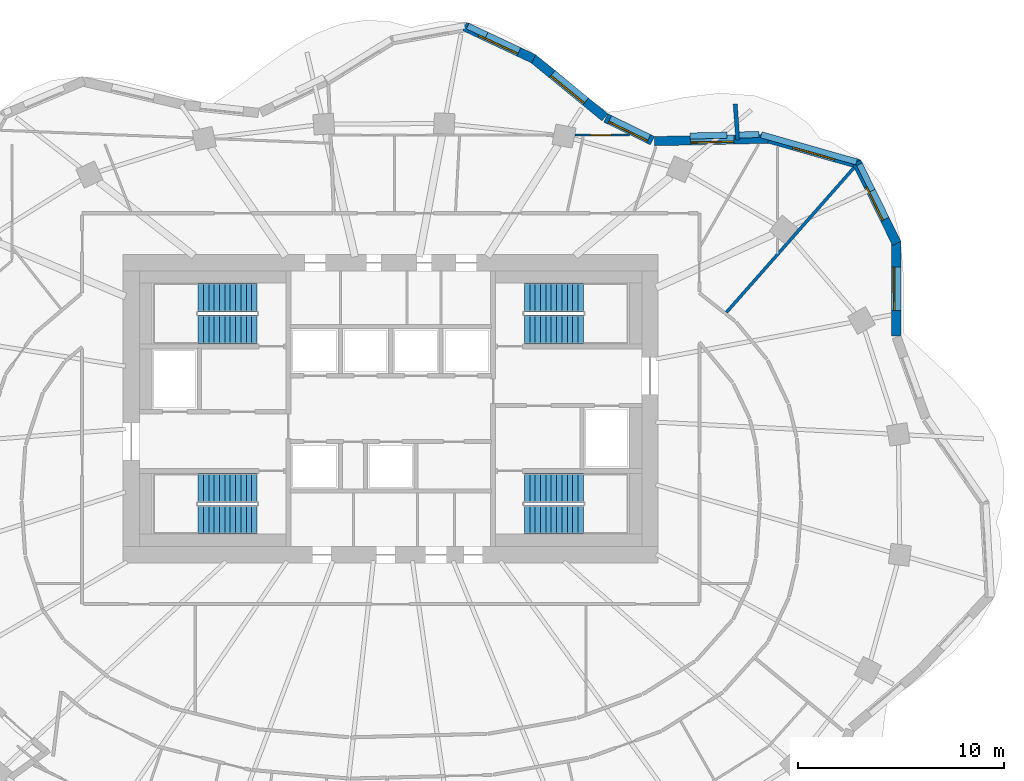
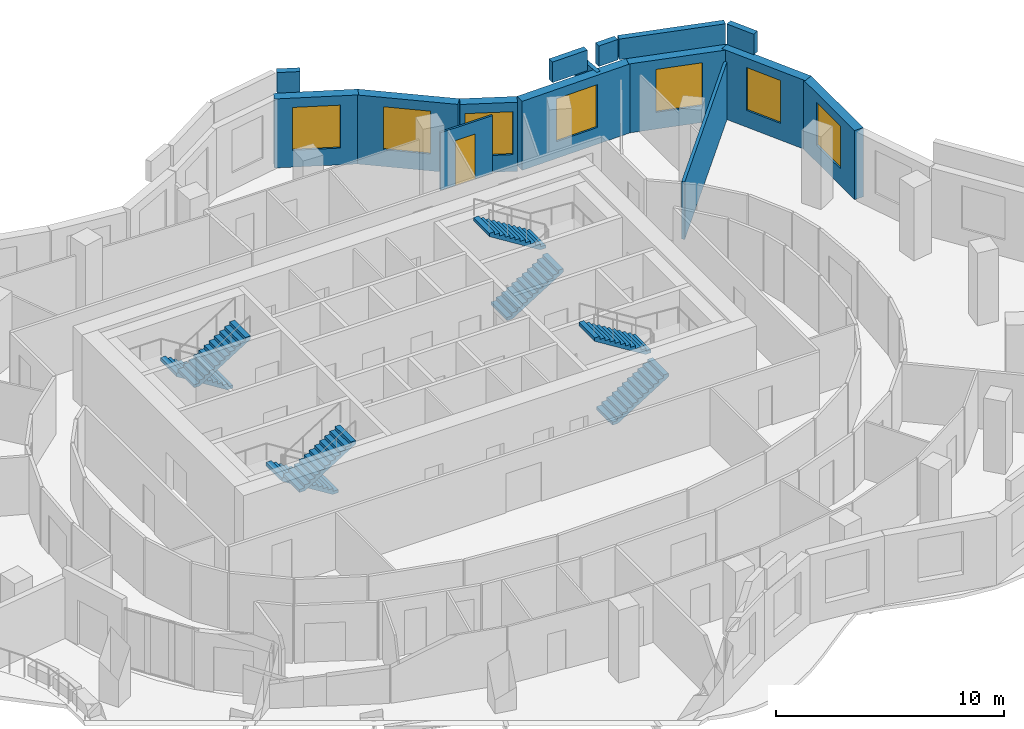
# One storey, part 11 of 13: 15 walls, 8 stair flights, 7 windows, 1 door, 8 openings, 4 elements without a shape of their own.
"""IFC4 building model written with IfcOpenShell, lengths in metres."""

from ifc_helpers import new_model, si_unit, direction, frame, frame_2d, origin, place, context, subcontext, project, spatial, polyline, rectangle, outline, extrude, material, layer, layer_set, type_object, element, fill, aggregate, save


model = new_model("IFC4")

# Units and contexts
model_context = context("Model", 3, precision=1e-05, world=origin(), true_north=direction((0.0, 1.0)))
body_context = subcontext(model_context, "Body", "Model", "MODEL_VIEW")
ifc_project = project(units=[si_unit("LENGTHUNIT", "METRE"), si_unit("AREAUNIT", "SQUARE_METRE"), si_unit("VOLUMEUNIT", "CUBIC_METRE"), si_unit("PLANEANGLEUNIT", "RADIAN"), si_unit("MASSUNIT", "GRAM", prefix="KILO")], contexts=[model_context])

# Site, building, storey
site_placement = place(None, origin())
site = spatial("IfcSite", under=ifc_project, at=site_placement, CompositionType="ELEMENT")
building_placement = place(site_placement, origin())
building = spatial("IfcBuilding", under=site, at=building_placement, Name="Rubra Terraces Tower", CompositionType="ELEMENT")
storey_placement = place(building_placement, frame((0.0, 0.0, 233.10009765625)))
storey = spatial("IfcBuildingStorey", under=building, at=storey_placement, Name="L57", CompositionType="ELEMENT", Elevation=233.10009765625)

# Wall, opening, window
ifc_material_1 = material(Name="Brick masonry red-brown", Category="masonry")
ifc_layer_1 = layer(ifc_material_1, 0.449951171875)
ifc_layer_set_1 = layer_set([ifc_layer_1], Name="Brick masonry red-brown")
wall_type_1 = type_object("IfcWallType", Name="Brick facade wall 450", PredefinedType="SOLIDWALL", material=ifc_layer_set_1)
wall_1_placement = place(storey_placement, frame((24.5712890625, 8.044189453125, 0.0), z_axis=(0.0, 0.0, 1.0), x_axis=(-0.001546005189, 0.999998804933, 0.0)))
wall_1 = element("IfcWall", 1, at=wall_1_placement, inside=storey, type_object=wall_type_1, Name="Facade wall L57 bay 3", PredefinedType="SOLIDWALL", context=body_context, shape_type="SweptSolid", body=[
    extrude(rectangle(XDim=4.57958984375, YDim=0.449951171875, at=frame_2d((2.289794921875, 0.0))), origin(), (0.0, 0.0, 1.0), 3.699951171875),
])
opening_1_placement = place(wall_1_placement, frame((1.23974609375, 0.0, 0.89990234375)))
opening_1 = element("IfcOpeningElement", 2, at=opening_1_placement, cuts=wall_1, Name="Opening W1B", PredefinedType="OPENING", context=body_context, shape_type="SweptSolid", body=[
    extrude(rectangle(XDim=2.10009765625, YDim=2.300048828125, at=frame_2d((1.050048828125, 1.14990234375))), frame((0.0, 0.23486328125, 0.0), z_axis=(0.0, -1.0, 0.0), x_axis=(1.0, 0.0, 0.0)), (0.0, 0.0, 1.0), 0.469970703125),
])
ifc_material_2 = material(Name="Clear glass in aluminium frame", Category="aluminium")
window_type_1 = type_object("IfcWindowType", Name="Fixed deep-set window tall storey 2100 x 2300", PartitioningType="SINGLE_PANEL", PredefinedType="WINDOW", material=ifc_material_2)
window_1_placement = place(opening_1_placement, origin())
window_1 = element("IfcWindow", 3, at=window_1_placement, inside=storey, type_object=window_type_1, Name="Window L57 bay 3", OverallHeight=2.300048828125, OverallWidth=2.10009765625, PartitioningType="SINGLE_PANEL", PredefinedType="WINDOW", context=body_context, shape_type="SweptSolid", body=[
    extrude(rectangle(XDim=2.10009765625, YDim=2.300048828125, at=frame_2d((1.050048828125, 1.14990234375))), frame((0.0, 0.135009765625, 0.0), z_axis=(0.0, -1.0, 0.0), x_axis=(1.0, 0.0, 0.0)), (0.0, 0.0, 1.0), 0.06005859375),
])
fill(opening_1, window_1)

wall_2_placement = place(storey_placement, frame((24.587158203125, 12.531494140625, 0.0), z_axis=(0.0, 0.0, 1.0), x_axis=(-0.441565582365, 0.897228976611, 0.0)))
wall_2 = element("IfcWall", 4, at=wall_2_placement, inside=storey, type_object=wall_type_1, Name="Facade wall L57 bay 4", PredefinedType="SOLIDWALL", context=body_context, shape_type="SweptSolid", body=[
    extrude(rectangle(XDim=4.416015625, YDim=0.449951171875, at=frame_2d((2.2080078125, 0.0))), origin(), (0.0, 0.0, 1.0), 3.699951171875),
])
opening_2_placement = place(wall_2_placement, frame((1.307861328125, 0.0, 0.89990234375)))
opening_2 = element("IfcOpeningElement", 5, at=opening_2_placement, cuts=wall_2, Name="Opening W6B", PredefinedType="OPENING", context=body_context, shape_type="SweptSolid", body=[
    extrude(rectangle(XDim=1.800048828125, YDim=2.300048828125, at=frame_2d((0.89990234375, 1.14990234375))), frame((0.0, 0.23486328125, 0.0), z_axis=(0.0, -1.0, 0.0), x_axis=(1.0, 0.0, 0.0)), (0.0, 0.0, 1.0), 0.469970703125),
])
window_type_2 = type_object("IfcWindowType", Name="Fixed deep-set window at wind fin tall storey 1800 x 2300", PartitioningType="SINGLE_PANEL", PredefinedType="WINDOW", material=ifc_material_2)
window_2_placement = place(opening_2_placement, origin())
window_2 = element("IfcWindow", 6, at=window_2_placement, inside=storey, type_object=window_type_2, Name="Window L57 bay 4", OverallHeight=2.300048828125, OverallWidth=1.800048828125, PartitioningType="SINGLE_PANEL", PredefinedType="WINDOW", context=body_context, shape_type="SweptSolid", body=[
    extrude(rectangle(XDim=1.800048828125, YDim=2.300048828125, at=frame_2d((0.89990234375, 1.14990234375))), frame((0.0, 0.135009765625, 0.0), z_axis=(0.0, -1.0, 0.0), x_axis=(1.0, 0.0, 0.0)), (0.0, 0.0, 1.0), 0.06005859375),
])
fill(opening_2, window_2)

wall_3_placement = place(storey_placement, frame((22.777587890625, 16.376708984375, 0.0), z_axis=(0.0, 0.0, 1.0), x_axis=(-0.961872816949, 0.273497137123, 0.0)))
wall_3 = element("IfcWall", 7, at=wall_3_placement, inside=storey, type_object=wall_type_1, Name="Facade wall L57 bay 5", PredefinedType="SOLIDWALL", context=body_context, shape_type="SweptSolid", body=[
    extrude(rectangle(XDim=4.584716796875, YDim=0.449951171875, at=frame_2d((2.29248046875, 0.0))), origin(), (0.0, 0.0, 1.0), 3.699951171875),
])
opening_3_placement = place(wall_3_placement, frame((1.242431640625, 0.0, 0.89990234375)))
opening_3 = element("IfcOpeningElement", 8, at=opening_3_placement, cuts=wall_3, Name="Opening W1B", PredefinedType="OPENING", context=body_context, shape_type="SweptSolid", body=[
    extrude(rectangle(XDim=2.10009765625, YDim=2.300048828125, at=frame_2d((1.050048828125, 1.14990234375))), frame((0.0, 0.23486328125, 0.0), z_axis=(0.0, -1.0, 0.0), x_axis=(1.0, 0.0, 0.0)), (0.0, 0.0, 1.0), 0.469970703125),
])
window_3_placement = place(opening_3_placement, origin())
window_3 = element("IfcWindow", 9, at=window_3_placement, inside=storey, type_object=window_type_1, Name="Window L57 bay 5", OverallHeight=2.300048828125, OverallWidth=2.10009765625, PartitioningType="SINGLE_PANEL", PredefinedType="WINDOW", context=body_context, shape_type="SweptSolid", body=[
    extrude(rectangle(XDim=2.10009765625, YDim=2.300048828125, at=frame_2d((1.050048828125, 1.14990234375))), frame((0.0, 0.135009765625, 0.0), z_axis=(0.0, -1.0, 0.0), x_axis=(1.0, 0.0, 0.0)), (0.0, 0.0, 1.0), 0.06005859375),
])
fill(opening_3, window_3)

wall_4_placement = place(storey_placement, frame((18.433837890625, 17.622314453125, 0.0), z_axis=(0.0, 0.0, 1.0), x_axis=(-0.999773749739, -0.021270856405, 0.0)))
wall_4 = element("IfcWall", 10, at=wall_4_placement, inside=storey, type_object=wall_type_1, Name="Facade wall L57 bay 6", PredefinedType="SOLIDWALL", context=body_context, shape_type="SweptSolid", body=[
    extrude(rectangle(XDim=5.612548828125, YDim=0.449951171875, at=frame_2d((2.80615234375, 0.0))), origin(), (0.0, 0.0, 1.0), 3.699951171875),
])
opening_4_placement = place(wall_4_placement, frame((1.75634765625, 0.0, 0.89990234375)))
opening_4 = element("IfcOpeningElement", 11, at=opening_4_placement, cuts=wall_4, Name="Opening W1B", PredefinedType="OPENING", context=body_context, shape_type="SweptSolid", body=[
    extrude(rectangle(XDim=2.10009765625, YDim=2.300048828125, at=frame_2d((1.050048828125, 1.14990234375))), frame((0.0, 0.23486328125, 0.0), z_axis=(0.0, -1.0, 0.0), x_axis=(1.0, 0.0, 0.0)), (0.0, 0.0, 1.0), 0.469970703125),
])
window_4_placement = place(opening_4_placement, origin())
window_4 = element("IfcWindow", 12, at=window_4_placement, inside=storey, type_object=window_type_1, Name="Window L57 bay 6", OverallHeight=2.300048828125, OverallWidth=2.10009765625, PartitioningType="SINGLE_PANEL", PredefinedType="WINDOW", context=body_context, shape_type="SweptSolid", body=[
    extrude(rectangle(XDim=2.10009765625, YDim=2.300048828125, at=frame_2d((1.050048828125, 1.14990234375))), frame((0.0, 0.135009765625, 0.0), z_axis=(0.0, -1.0, 0.0), x_axis=(1.0, 0.0, 0.0)), (0.0, 0.0, 1.0), 0.06005859375),
])
fill(opening_4, window_4)

wall_5_placement = place(storey_placement, frame((12.718994140625, 17.52587890625, 0.0), z_axis=(0.0, 0.0, 1.0), x_axis=(-0.898643806462, 0.438679050226, 0.0)))
wall_5 = element("IfcWall", 13, at=wall_5_placement, inside=storey, type_object=wall_type_1, Name="Facade wall L57 bay 7", PredefinedType="SOLIDWALL", context=body_context, shape_type="SweptSolid", body=[
    extrude(rectangle(XDim=2.5234375, YDim=0.449951171875, at=frame_2d((1.26171875, 0.0))), origin(), (0.0, 0.0, 1.0), 3.699951171875),
])
opening_5_placement = place(wall_5_placement, frame((0.2119140625, 0.0, 0.89990234375)))
opening_5 = element("IfcOpeningElement", 14, at=opening_5_placement, cuts=wall_5, Name="Opening W1B", PredefinedType="OPENING", context=body_context, shape_type="SweptSolid", body=[
    extrude(rectangle(XDim=2.10009765625, YDim=2.300048828125, at=frame_2d((1.050048828125, 1.14990234375))), frame((0.0, 0.23486328125, 0.0), z_axis=(0.0, -1.0, 0.0), x_axis=(1.0, 0.0, 0.0)), (0.0, 0.0, 1.0), 0.469970703125),
])
window_5_placement = place(opening_5_placement, origin())
window_5 = element("IfcWindow", 15, at=window_5_placement, inside=storey, type_object=window_type_1, Name="Window L57 bay 7", OverallHeight=2.300048828125, OverallWidth=2.10009765625, PartitioningType="SINGLE_PANEL", PredefinedType="WINDOW", context=body_context, shape_type="SweptSolid", body=[
    extrude(rectangle(XDim=2.10009765625, YDim=2.300048828125, at=frame_2d((1.050048828125, 1.14990234375))), frame((0.0, 0.135009765625, 0.0), z_axis=(0.0, -1.0, 0.0), x_axis=(1.0, 0.0, 0.0)), (0.0, 0.0, 1.0), 0.06005859375),
])
fill(opening_5, window_5)

wall_6_placement = place(storey_placement, frame((10.407470703125, 18.660888671875, 0.0), z_axis=(0.0, 0.0, 1.0), x_axis=(-0.773702458947, 0.633549133864, 0.0)))
wall_6 = element("IfcWall", 16, at=wall_6_placement, inside=storey, type_object=wall_type_1, Name="Facade wall L57 bay 8", PredefinedType="SOLIDWALL", context=body_context, shape_type="SweptSolid", body=[
    extrude(rectangle(XDim=4.525634765625, YDim=0.449951171875, at=frame_2d((2.2626953125, 0.0))), origin(), (0.0, 0.0, 1.0), 3.699951171875),
])
opening_6_placement = place(wall_6_placement, frame((1.212890625, 0.0, 0.89990234375)))
opening_6 = element("IfcOpeningElement", 17, at=opening_6_placement, cuts=wall_6, Name="Opening W1B", PredefinedType="OPENING", context=body_context, shape_type="SweptSolid", body=[
    extrude(rectangle(XDim=2.10009765625, YDim=2.300048828125, at=frame_2d((1.050048828125, 1.14990234375))), frame((0.0, 0.23486328125, 0.0), z_axis=(0.0, -1.0, 0.0), x_axis=(1.0, 0.0, 0.0)), (0.0, 0.0, 1.0), 0.469970703125),
])
window_6_placement = place(opening_6_placement, origin())
window_6 = element("IfcWindow", 18, at=window_6_placement, inside=storey, type_object=window_type_1, Name="Window L57 bay 8", OverallHeight=2.300048828125, OverallWidth=2.10009765625, PartitioningType="SINGLE_PANEL", PredefinedType="WINDOW", context=body_context, shape_type="SweptSolid", body=[
    extrude(rectangle(XDim=2.10009765625, YDim=2.300048828125, at=frame_2d((1.050048828125, 1.14990234375))), frame((0.0, 0.135009765625, 0.0), z_axis=(0.0, -1.0, 0.0), x_axis=(1.0, 0.0, 0.0)), (0.0, 0.0, 1.0), 0.06005859375),
])
fill(opening_6, window_6)

wall_7_placement = place(storey_placement, frame((6.952880859375, 21.49853515625, 0.0), z_axis=(0.0, 0.0, 1.0), x_axis=(-0.905034581957, 0.425337989676, 0.0)))
wall_7 = element("IfcWall", 19, at=wall_7_placement, inside=storey, type_object=wall_type_1, Name="Facade wall L57 bay 9", PredefinedType="SOLIDWALL", context=body_context, shape_type="SweptSolid", body=[
    extrude(rectangle(XDim=3.71435546875, YDim=0.449951171875, at=frame_2d((1.857177734375, 0.0))), origin(), (0.0, 0.0, 1.0), 3.699951171875),
])
opening_7_placement = place(wall_7_placement, frame((0.80712890625, 0.0, 0.89990234375)))
opening_7 = element("IfcOpeningElement", 20, at=opening_7_placement, cuts=wall_7, Name="Opening W1B", PredefinedType="OPENING", context=body_context, shape_type="SweptSolid", body=[
    extrude(rectangle(XDim=2.10009765625, YDim=2.300048828125, at=frame_2d((1.050048828125, 1.14990234375))), frame((0.0, 0.23486328125, 0.0), z_axis=(0.0, -1.0, 0.0), x_axis=(1.0, 0.0, 0.0)), (0.0, 0.0, 1.0), 0.469970703125),
])
window_7_placement = place(opening_7_placement, origin())
window_7 = element("IfcWindow", 21, at=window_7_placement, inside=storey, type_object=window_type_1, Name="Window L57 bay 9", OverallHeight=2.300048828125, OverallWidth=2.10009765625, PartitioningType="SINGLE_PANEL", PredefinedType="WINDOW", context=body_context, shape_type="SweptSolid", body=[
    extrude(rectangle(XDim=2.10009765625, YDim=2.300048828125, at=frame_2d((1.050048828125, 1.14990234375))), frame((0.0, 0.135009765625, 0.0), z_axis=(0.0, -1.0, 0.0), x_axis=(1.0, 0.0, 0.0)), (0.0, 0.0, 1.0), 0.06005859375),
])
fill(opening_7, window_7)

# Walls
ifc_layer_2 = layer(ifc_material_1, 0.300048828125)
ifc_layer_set_2 = layer_set([ifc_layer_2], Name="Brick masonry red-brown")
wall_type_2 = type_object("IfcWallType", Name="Brick parapet 300", PredefinedType="PARAPET", material=ifc_layer_set_2)
wall_8_placement = place(storey_placement, frame((23.40673828125, 15.099609375, 3.89990234375), z_axis=(0.0, 0.0, 1.0), x_axis=(-0.441525139575, 0.897248879143, 0.0)))
element("IfcWall", 22, at=wall_8_placement, inside=storey, type_object=wall_type_2, Name="Parapet L57 bay 4", PredefinedType="PARAPET", context=body_context, shape_type="SweptSolid", body=[
    extrude(rectangle(XDim=1.42724609375, YDim=0.300048828125, at=frame_2d((0.713623046875, 0.0))), origin(), (0.0, 0.0, 1.0), 1.10009765625),
])
wall_9_placement = place(storey_placement, frame((22.640869140625, 16.493408203125, 3.89990234375), z_axis=(0.0, 0.0, 1.0), x_axis=(-0.961855991684, 0.273556303641, 0.0)))
element("IfcWall", 23, at=wall_9_placement, inside=storey, type_object=wall_type_2, Name="Parapet L57 bay 5", PredefinedType="PARAPET", context=body_context, shape_type="SweptSolid", body=[
    extrude(rectangle(XDim=4.817626953125, YDim=0.300048828125, at=frame_2d((2.40869140625, 0.0))), origin(), (0.0, 0.0, 1.0), 1.10009765625),
])
wall_10_placement = place(storey_placement, frame((17.904052734375, 17.824462890625, 3.89990234375), z_axis=(0.0, 0.0, 1.0), x_axis=(-0.999771907309, -0.021357278744, 0.0)))
element("IfcWall", 24, at=wall_10_placement, inside=storey, type_object=wall_type_2, Name="Parapet L57 bay 6", PredefinedType="PARAPET", context=body_context, shape_type="SweptSolid", body=[
    extrude(rectangle(XDim=0.9716796875, YDim=0.300048828125, at=frame_2d((0.48583984375, 0.0))), origin(), (0.0, 0.0, 1.0), 1.10009765625),
])
wall_11_placement = place(storey_placement, frame((16.339599609375, 17.791259765625, 3.89990234375), z_axis=(0.0, 0.0, 1.0), x_axis=(-0.999776010316, -0.021164337831, 0.0)))
element("IfcWall", 25, at=wall_11_placement, inside=storey, type_object=wall_type_2, Name="Parapet L57 bay 6.2", PredefinedType="PARAPET", context=body_context, shape_type="SweptSolid", body=[
    extrude(rectangle(XDim=1.7880859375, YDim=0.300048828125, at=frame_2d((0.89404296875, 0.0))), origin(), (0.0, 0.0, 1.0), 1.10009765625),
])
wall_12_placement = place(storey_placement, frame((4.66650390625, 22.656005859375, 3.89990234375), z_axis=(0.0, 0.0, 1.0), x_axis=(-0.905050240273, 0.425304670304, 0.0)))
element("IfcWall", 26, at=wall_12_placement, inside=storey, type_object=wall_type_2, Name="Parapet L57 bay 9", PredefinedType="PARAPET", context=body_context, shape_type="SweptSolid", body=[
    extrude(rectangle(XDim=1.02685546875, YDim=0.300048828125, at=frame_2d((0.513427734375, 0.0))), origin(), (0.0, 0.0, 1.0), 1.10009765625),
])
ifc_layer_3 = layer(ifc_material_1, 0.199951171875)
ifc_layer_set_3 = layer_set([ifc_layer_3], Name="Brick masonry red-brown")
wall_type_3 = type_object("IfcWallType", Name="Brick wind fin 200", PredefinedType="SOLIDWALL", material=ifc_layer_set_3)
wall_13_placement = place(storey_placement, frame((16.868896484375, 17.56591796875, 0.0), z_axis=(0.0, 0.0, 1.0), x_axis=(-0.073655868346, 0.997283717434, 0.0)))
element("IfcWall", 27, at=wall_13_placement, inside=storey, type_object=wall_type_3, Name="Wind fin L57 4", PredefinedType="SOLIDWALL", context=body_context, shape_type="SweptSolid", body=[
    extrude(rectangle(XDim=1.75, YDim=0.199951171875, at=frame_2d((0.875, 0.0))), origin(), (0.0, 0.0, 1.0), 3.699951171875),
])

# Wall, opening, door
ifc_material_3 = material(Name="Plasterboard on steel stud", Category="steel")
ifc_layer_4 = layer(ifc_material_3, 0.10009765625)
ifc_layer_set_4 = layer_set([ifc_layer_4], Name="Plasterboard on steel stud")
wall_type_4 = type_object("IfcWallType", Name="ROOM PARTITION 100", PredefinedType="PARTITIONING", material=ifc_layer_set_4)
wall_14_placement = place(storey_placement, frame((8.961669921875, 17.800048828125, 0.0), z_axis=(0.0, 0.0, 1.0), x_axis=(1.0, 0.0, 0.0)))
wall_14 = element("IfcWall", 28, at=wall_14_placement, inside=storey, type_object=wall_type_4, Name="PARTITION", PredefinedType="PARTITIONING", context=body_context, shape_type="SweptSolid", body=[
    extrude(rectangle(XDim=2.639404296875, YDim=0.10009765625, at=frame_2d((1.31982421875, 0.0))), origin(), (0.0, 0.0, 1.0), 3.083984375),
])
opening_8_placement = place(wall_14_placement, frame((0.75, 0.0, 0.0)))
opening_8 = element("IfcOpeningElement", 29, at=opening_8_placement, cuts=wall_14, Name="Opening 57-128", PredefinedType="OPENING", context=body_context, shape_type="SweptSolid", body=[
    extrude(rectangle(XDim=1.0, YDim=2.39990234375, at=frame_2d((0.5, 1.199951171875))), frame((0.0, 0.06005859375, 0.0), z_axis=(0.0, -1.0, 0.0), x_axis=(1.0, 0.0, 0.0)), (0.0, 0.0, 1.0), 0.1201171875),
])
ifc_material_4 = material(Name="Glazed aluminium meeting door leaf", Category="aluminium")
door_type = type_object("IfcDoorType", Name="MEETING ROOM GLAZED DOOR 1000 X 2400", OperationType="SINGLE_SWING_LEFT", PredefinedType="DOOR", material=ifc_material_4)
door_placement = place(opening_8_placement, origin())
door = element("IfcDoor", 30, at=door_placement, inside=storey, type_object=door_type, Name="DOOR 57-128", OperationType="SINGLE_SWING_LEFT", OverallHeight=2.39990234375, OverallWidth=1.0, PredefinedType="DOOR", context=body_context, shape_type="SweptSolid", body=[
    extrude(rectangle(XDim=1.0, YDim=2.39990234375, at=frame_2d((0.5, 1.199951171875))), frame((0.0, 0.02490234375, 0.0), z_axis=(0.0, -1.0, 0.0), x_axis=(1.0, 0.0, 0.0)), (0.0, 0.0, 1.0), 0.050048828125),
])
fill(opening_8, door)

# Wall
ifc_layer_5 = layer(ifc_material_3, 0.14990234375)
ifc_layer_set_5 = layer_set([ifc_layer_5], Name="Plasterboard on steel stud")
wall_type_5 = type_object("IfcWallType", Name="ROOM PARTITION 150", PredefinedType="PARTITIONING", material=ifc_layer_set_5)
wall_15_placement = place(storey_placement, frame((22.515625, 16.212890625, 0.0), z_axis=(0.0, 0.0, 1.0), x_axis=(-0.661470922976, -0.74997081147, 0.0)))
element("IfcWall", 31, at=wall_15_placement, inside=storey, type_object=wall_type_5, Name="PARTITION", PredefinedType="PARTITIONING", context=body_context, shape_type="SweptSolid", body=[
    extrude(rectangle(XDim=9.376708984375, YDim=0.14990234375, at=frame_2d((4.6884765625, 0.0))), origin(), (0.0, 0.0, 1.0), 3.083984375),
])

# Stair, stair flights
ifc_material_5 = material(Name="Concrete C40", Category="concrete")
stair_type = type_object("IfcStairType", Name="Core stair 1400", PredefinedType="HALF_TURN_STAIR", material=ifc_material_5)
stair_1_placement = place(storey_placement, origin())
stair_1 = element("IfcStair", 32, at=stair_1_placement, inside=storey, type_object=stair_type, Name="L57 Exit stair S1", PredefinedType="HALF_TURN_STAIR")
stair_flight_type = type_object("IfcStairFlightType", Name="Core stair flight 1400", PredefinedType="STRAIGHT", material=ifc_material_5)
stair_flight_1_placement = place(storey_placement, frame((-6.5, 0.64990234375, 0.0), z_axis=(0.0, 0.0, 1.0), x_axis=(-1.0, 0.0, 0.0)))
stair_flight_1 = element("IfcStairFlight", 33, at=stair_flight_1_placement, type_object=stair_flight_type, Name="S1 flight 1", NumberOfRisers=12, NumberOfTreads=11, PredefinedType="STRAIGHT", RiserHeight=0.1625, TreadLength=0.26, context=body_context, shape_type="SweptSolid", body=[
    extrude(outline(polyline([(0.0, 0.0), (0.0, 0.16259765625), (0.260009765625, 0.16259765625), (0.260009765625, 0.324951171875), (0.52001953125, 0.324951171875), (0.52001953125, 0.487548828125), (0.780029296875, 0.487548828125), (0.780029296875, 0.64990234375), (1.0400390625, 0.64990234375), (1.0400390625, 0.8125), (1.300048828125, 0.8125), (1.300048828125, 0.97509765625), (1.56005859375, 0.97509765625), (1.56005859375, 1.137451171875), (1.820068359375, 1.137451171875), (1.820068359375, 1.300048828125), (2.080078125, 1.300048828125), (2.080078125, 1.46240234375), (2.340087890625, 1.46240234375), (2.340087890625, 1.625), (2.60009765625, 1.625), (2.60009765625, 1.78759765625), (2.860107421875, 1.78759765625), (2.860107421875, 1.949951171875), (2.860107421875, 1.61083984375), (0.28271484375, 0.0), (0.0, 0.0)])), frame((0.0, 0.699951171875, 0.0), z_axis=(0.0, -1.0, 0.0), x_axis=(1.0, 0.0, 0.0)), (0.0, 0.0, 1.0), 1.39990234375),
])
stair_flight_2_placement = place(storey_placement, frame((-9.360107421875, -0.89990234375, 1.949951171875), z_axis=(0.0, 0.0, 1.0), x_axis=(1.0, 0.0, 0.0)))
stair_flight_2 = element("IfcStairFlight", 34, at=stair_flight_2_placement, type_object=stair_flight_type, Name="S1 flight 2", NumberOfRisers=12, NumberOfTreads=11, PredefinedType="STRAIGHT", RiserHeight=0.1625, TreadLength=0.26, context=body_context, shape_type="SweptSolid", body=[
    extrude(outline(polyline([(0.0, 0.0), (0.0, 0.16259765625), (0.260009765625, 0.16259765625), (0.260009765625, 0.324951171875), (0.52001953125, 0.324951171875), (0.52001953125, 0.487548828125), (0.780029296875, 0.487548828125), (0.780029296875, 0.64990234375), (1.0400390625, 0.64990234375), (1.0400390625, 0.8125), (1.300048828125, 0.8125), (1.300048828125, 0.97509765625), (1.56005859375, 0.97509765625), (1.56005859375, 1.137451171875), (1.820068359375, 1.137451171875), (1.820068359375, 1.300048828125), (2.080078125, 1.300048828125), (2.080078125, 1.46240234375), (2.340087890625, 1.46240234375), (2.340087890625, 1.625), (2.60009765625, 1.625), (2.60009765625, 1.78759765625), (2.860107421875, 1.78759765625), (2.860107421875, 1.949951171875), (2.860107421875, 1.61083984375), (0.28271484375, 0.0), (0.0, 0.0)])), frame((0.0, 0.699951171875, 0.0), z_axis=(0.0, -1.0, 0.0), x_axis=(1.0, 0.0, 0.0)), (0.0, 0.0, 1.0), 1.39990234375),
])
aggregate(stair_1, [stair_flight_1, stair_flight_2])

stair_2_placement = place(storey_placement, origin())
stair_2 = element("IfcStair", 35, at=stair_2_placement, inside=storey, type_object=stair_type, Name="L57 Exit stair S2", PredefinedType="HALF_TURN_STAIR")
stair_flight_3_placement = place(storey_placement, frame((-6.5, 9.89990234375, 0.0), z_axis=(0.0, 0.0, 1.0), x_axis=(-1.0, 0.0, 0.0)))
stair_flight_3 = element("IfcStairFlight", 36, at=stair_flight_3_placement, type_object=stair_flight_type, Name="S2 flight 1", NumberOfRisers=12, NumberOfTreads=11, PredefinedType="STRAIGHT", RiserHeight=0.1625, TreadLength=0.26, context=body_context, shape_type="SweptSolid", body=[
    extrude(outline(polyline([(0.0, 0.0), (0.0, 0.16259765625), (0.260009765625, 0.16259765625), (0.260009765625, 0.324951171875), (0.52001953125, 0.324951171875), (0.52001953125, 0.487548828125), (0.780029296875, 0.487548828125), (0.780029296875, 0.64990234375), (1.0400390625, 0.64990234375), (1.0400390625, 0.8125), (1.300048828125, 0.8125), (1.300048828125, 0.97509765625), (1.56005859375, 0.97509765625), (1.56005859375, 1.137451171875), (1.820068359375, 1.137451171875), (1.820068359375, 1.300048828125), (2.080078125, 1.300048828125), (2.080078125, 1.46240234375), (2.340087890625, 1.46240234375), (2.340087890625, 1.625), (2.60009765625, 1.625), (2.60009765625, 1.78759765625), (2.860107421875, 1.78759765625), (2.860107421875, 1.949951171875), (2.860107421875, 1.61083984375), (0.28271484375, 0.0), (0.0, 0.0)])), frame((0.0, 0.699951171875, 0.0), z_axis=(0.0, -1.0, 0.0), x_axis=(1.0, 0.0, 0.0)), (0.0, 0.0, 1.0), 1.39990234375),
])
stair_flight_4_placement = place(storey_placement, frame((-9.360107421875, 8.35009765625, 1.949951171875), z_axis=(0.0, 0.0, 1.0), x_axis=(1.0, 0.0, 0.0)))
stair_flight_4 = element("IfcStairFlight", 37, at=stair_flight_4_placement, type_object=stair_flight_type, Name="S2 flight 2", NumberOfRisers=12, NumberOfTreads=11, PredefinedType="STRAIGHT", RiserHeight=0.1625, TreadLength=0.26, context=body_context, shape_type="SweptSolid", body=[
    extrude(outline(polyline([(0.0, 0.0), (0.0, 0.16259765625), (0.260009765625, 0.16259765625), (0.260009765625, 0.324951171875), (0.52001953125, 0.324951171875), (0.52001953125, 0.487548828125), (0.780029296875, 0.487548828125), (0.780029296875, 0.64990234375), (1.0400390625, 0.64990234375), (1.0400390625, 0.8125), (1.300048828125, 0.8125), (1.300048828125, 0.97509765625), (1.56005859375, 0.97509765625), (1.56005859375, 1.137451171875), (1.820068359375, 1.137451171875), (1.820068359375, 1.300048828125), (2.080078125, 1.300048828125), (2.080078125, 1.46240234375), (2.340087890625, 1.46240234375), (2.340087890625, 1.625), (2.60009765625, 1.625), (2.60009765625, 1.78759765625), (2.860107421875, 1.78759765625), (2.860107421875, 1.949951171875), (2.860107421875, 1.61083984375), (0.28271484375, 0.0), (0.0, 0.0)])), frame((0.0, 0.699951171875, 0.0), z_axis=(0.0, -1.0, 0.0), x_axis=(1.0, 0.0, 0.0)), (0.0, 0.0, 1.0), 1.39990234375),
])
aggregate(stair_2, [stair_flight_3, stair_flight_4])

stair_3_placement = place(storey_placement, origin())
stair_3 = element("IfcStair", 38, at=stair_3_placement, inside=storey, type_object=stair_type, Name="L57 Exit stair S3", PredefinedType="HALF_TURN_STAIR")
stair_flight_5_placement = place(storey_placement, frame((6.5, 8.35009765625, 0.0), z_axis=(0.0, 0.0, 1.0), x_axis=(1.0, 0.0, 0.0)))
stair_flight_5 = element("IfcStairFlight", 39, at=stair_flight_5_placement, type_object=stair_flight_type, Name="S3 flight 1", NumberOfRisers=12, NumberOfTreads=11, PredefinedType="STRAIGHT", RiserHeight=0.1625, TreadLength=0.26, context=body_context, shape_type="SweptSolid", body=[
    extrude(outline(polyline([(0.0, 0.0), (0.0, 0.16259765625), (0.260009765625, 0.16259765625), (0.260009765625, 0.324951171875), (0.52001953125, 0.324951171875), (0.52001953125, 0.487548828125), (0.780029296875, 0.487548828125), (0.780029296875, 0.64990234375), (1.0400390625, 0.64990234375), (1.0400390625, 0.8125), (1.300048828125, 0.8125), (1.300048828125, 0.97509765625), (1.56005859375, 0.97509765625), (1.56005859375, 1.137451171875), (1.820068359375, 1.137451171875), (1.820068359375, 1.300048828125), (2.080078125, 1.300048828125), (2.080078125, 1.46240234375), (2.340087890625, 1.46240234375), (2.340087890625, 1.625), (2.60009765625, 1.625), (2.60009765625, 1.78759765625), (2.860107421875, 1.78759765625), (2.860107421875, 1.949951171875), (2.860107421875, 1.61083984375), (0.28271484375, 0.0), (0.0, 0.0)])), frame((0.0, 0.699951171875, 0.0), z_axis=(0.0, -1.0, 0.0), x_axis=(1.0, 0.0, 0.0)), (0.0, 0.0, 1.0), 1.39990234375),
])
stair_flight_6_placement = place(storey_placement, frame((9.360107421875, 9.89990234375, 1.949951171875), z_axis=(0.0, 0.0, 1.0), x_axis=(-1.0, 0.0, 0.0)))
stair_flight_6 = element("IfcStairFlight", 40, at=stair_flight_6_placement, type_object=stair_flight_type, Name="S3 flight 2", NumberOfRisers=12, NumberOfTreads=11, PredefinedType="STRAIGHT", RiserHeight=0.1625, TreadLength=0.26, context=body_context, shape_type="SweptSolid", body=[
    extrude(outline(polyline([(0.0, 0.0), (0.0, 0.16259765625), (0.260009765625, 0.16259765625), (0.260009765625, 0.324951171875), (0.52001953125, 0.324951171875), (0.52001953125, 0.487548828125), (0.780029296875, 0.487548828125), (0.780029296875, 0.64990234375), (1.0400390625, 0.64990234375), (1.0400390625, 0.8125), (1.300048828125, 0.8125), (1.300048828125, 0.97509765625), (1.56005859375, 0.97509765625), (1.56005859375, 1.137451171875), (1.820068359375, 1.137451171875), (1.820068359375, 1.300048828125), (2.080078125, 1.300048828125), (2.080078125, 1.46240234375), (2.340087890625, 1.46240234375), (2.340087890625, 1.625), (2.60009765625, 1.625), (2.60009765625, 1.78759765625), (2.860107421875, 1.78759765625), (2.860107421875, 1.949951171875), (2.860107421875, 1.61083984375), (0.28271484375, 0.0), (0.0, 0.0)])), frame((0.0, 0.699951171875, 0.0), z_axis=(0.0, -1.0, 0.0), x_axis=(1.0, 0.0, 0.0)), (0.0, 0.0, 1.0), 1.39990234375),
])
aggregate(stair_3, [stair_flight_5, stair_flight_6])

stair_4_placement = place(storey_placement, origin())
stair_4 = element("IfcStair", 41, at=stair_4_placement, inside=storey, type_object=stair_type, Name="L57 Exit stair S4", PredefinedType="HALF_TURN_STAIR")
stair_flight_7_placement = place(storey_placement, frame((6.5, -0.89990234375, 0.0), z_axis=(0.0, 0.0, 1.0), x_axis=(1.0, 0.0, 0.0)))
stair_flight_7 = element("IfcStairFlight", 42, at=stair_flight_7_placement, type_object=stair_flight_type, Name="S4 flight 1", NumberOfRisers=12, NumberOfTreads=11, PredefinedType="STRAIGHT", RiserHeight=0.1625, TreadLength=0.26, context=body_context, shape_type="SweptSolid", body=[
    extrude(outline(polyline([(0.0, 0.0), (0.0, 0.16259765625), (0.260009765625, 0.16259765625), (0.260009765625, 0.324951171875), (0.52001953125, 0.324951171875), (0.52001953125, 0.487548828125), (0.780029296875, 0.487548828125), (0.780029296875, 0.64990234375), (1.0400390625, 0.64990234375), (1.0400390625, 0.8125), (1.300048828125, 0.8125), (1.300048828125, 0.97509765625), (1.56005859375, 0.97509765625), (1.56005859375, 1.137451171875), (1.820068359375, 1.137451171875), (1.820068359375, 1.300048828125), (2.080078125, 1.300048828125), (2.080078125, 1.46240234375), (2.340087890625, 1.46240234375), (2.340087890625, 1.625), (2.60009765625, 1.625), (2.60009765625, 1.78759765625), (2.860107421875, 1.78759765625), (2.860107421875, 1.949951171875), (2.860107421875, 1.61083984375), (0.28271484375, 0.0), (0.0, 0.0)])), frame((0.0, 0.699951171875, 0.0), z_axis=(0.0, -1.0, 0.0), x_axis=(1.0, 0.0, 0.0)), (0.0, 0.0, 1.0), 1.39990234375),
])
stair_flight_8_placement = place(storey_placement, frame((9.360107421875, 0.64990234375, 1.949951171875), z_axis=(0.0, 0.0, 1.0), x_axis=(-1.0, 0.0, 0.0)))
stair_flight_8 = element("IfcStairFlight", 43, at=stair_flight_8_placement, type_object=stair_flight_type, Name="S4 flight 2", NumberOfRisers=12, NumberOfTreads=11, PredefinedType="STRAIGHT", RiserHeight=0.1625, TreadLength=0.26, context=body_context, shape_type="SweptSolid", body=[
    extrude(outline(polyline([(0.0, 0.0), (0.0, 0.16259765625), (0.260009765625, 0.16259765625), (0.260009765625, 0.324951171875), (0.52001953125, 0.324951171875), (0.52001953125, 0.487548828125), (0.780029296875, 0.487548828125), (0.780029296875, 0.64990234375), (1.0400390625, 0.64990234375), (1.0400390625, 0.8125), (1.300048828125, 0.8125), (1.300048828125, 0.97509765625), (1.56005859375, 0.97509765625), (1.56005859375, 1.137451171875), (1.820068359375, 1.137451171875), (1.820068359375, 1.300048828125), (2.080078125, 1.300048828125), (2.080078125, 1.46240234375), (2.340087890625, 1.46240234375), (2.340087890625, 1.625), (2.60009765625, 1.625), (2.60009765625, 1.78759765625), (2.860107421875, 1.78759765625), (2.860107421875, 1.949951171875), (2.860107421875, 1.61083984375), (0.28271484375, 0.0), (0.0, 0.0)])), frame((0.0, 0.699951171875, 0.0), z_axis=(0.0, -1.0, 0.0), x_axis=(1.0, 0.0, 0.0)), (0.0, 0.0, 1.0), 1.39990234375),
])
aggregate(stair_4, [stair_flight_7, stair_flight_8])

save(model, "model.ifc")
